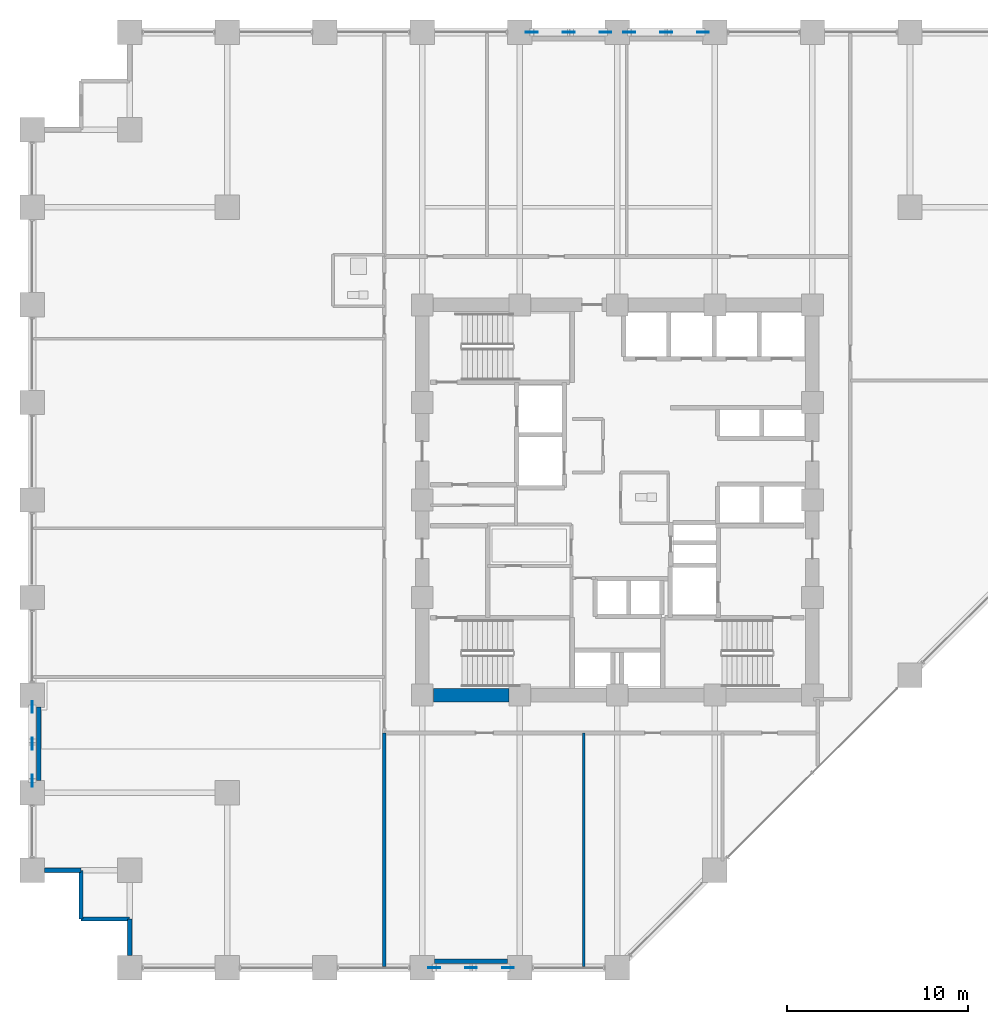
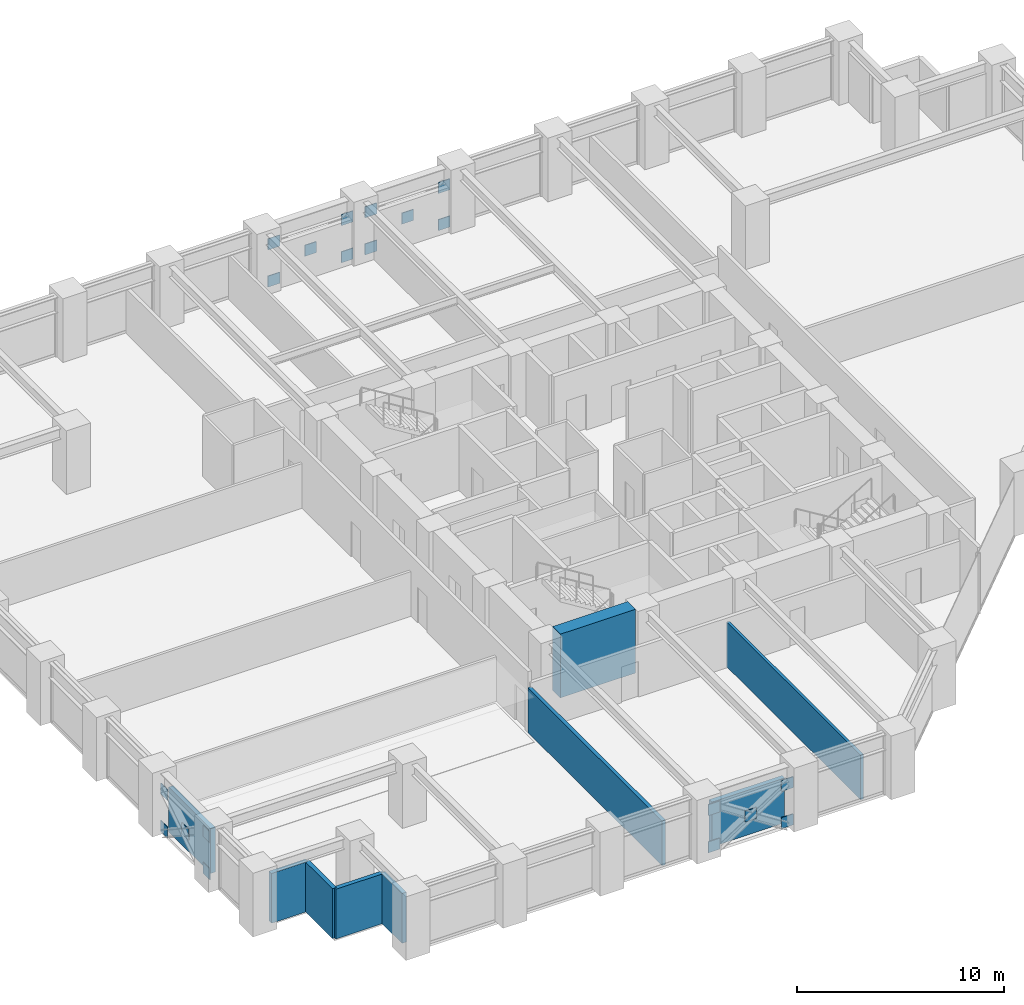
# One storey, part 19 of 25: 20 plates, 9 walls.
"""IFC4 building model written with IfcOpenShell, lengths in metres."""

from ifc_helpers import new_model, si_unit, direction, frame, frame_2d, origin, origin_2d, place, context, subcontext, project, spatial, rectangle, extrude, material, layer, layer_set, type_object, element, save


model = new_model("IFC4")

# Units and contexts
model_context = context("Model", 3, precision=1e-05, world=origin(), true_north=direction((0.0, 1.0)))
body_context = subcontext(model_context, "Body", "Model", "MODEL_VIEW")
ifc_project = project(units=[si_unit("LENGTHUNIT", "METRE"), si_unit("AREAUNIT", "SQUARE_METRE"), si_unit("VOLUMEUNIT", "CUBIC_METRE"), si_unit("PLANEANGLEUNIT", "RADIAN"), si_unit("MASSUNIT", "GRAM", prefix="KILO")], contexts=[model_context])

# Site, building, storey
site_placement = place(None, origin())
site = spatial("IfcSite", under=ifc_project, at=site_placement, CompositionType="ELEMENT")
building_placement = place(site_placement, origin())
building = spatial("IfcBuilding", under=site, at=building_placement, Name="Surkhivell Harbour Commons", CompositionType="ELEMENT")
storey_placement = place(building_placement, frame((0.0, 0.0, 52.5)))
storey = spatial("IfcBuildingStorey", under=building, at=storey_placement, Name="L13", CompositionType="ELEMENT", Elevation=52.5)

# Plates
ifc_material_1 = material(Name="Steel S460", Category="steel")
ifc_layer_1 = layer(ifc_material_1, 0.044921875)
ifc_layer_set_1 = layer_set([ifc_layer_1], Name="Steel S460")
plate_type = type_object("IfcPlateType", Name="PLT-GUS-650", PredefinedType="USERDEFINED", material=ifc_layer_set_1)
for number, where, z_axis, x_axis, name in (
    (1, (-4.739990234375, 25.89990234375, -0.08935546875), (0.0, 0.0, 1.0), (1.0, 0.0, 0.0), "L13 Perimeter Mega-Brace MB- Corner Gusset N-1"),
    (2, (-0.659912109375, 25.89990234375, -0.08935546875), (0.0, 0.0, 1.0), (1.0, 0.0, 0.0), "L13 Perimeter Mega-Brace MB- Corner Gusset N-2"),
    (3, (-4.739990234375, 25.89990234375, 2.1005859375), (0.0, 0.0, 1.0), (1.0, 0.0, 0.0), "L13 Perimeter Mega-Brace MB- Corner Gusset N-3"),
    (4, (-0.659912109375, 25.89990234375, 2.1005859375), (0.0, 0.0, 1.0), (1.0, 0.0, 0.0), "L13 Perimeter Mega-Brace MB- Corner Gusset N-4"),
    (5, (-2.699951171875, 25.89990234375, 1.005615234375), (0.0, 0.0, 1.0), (1.0, 0.0, 0.0), "L13 Perimeter Mega-Brace MB- Central Crossing Gusset N"),
    (6, (0.659912109375, 25.89990234375, -0.08935546875), (0.0, 0.0, 1.0), (1.0, 0.0, 0.0), "L13 Perimeter Mega-Brace MB- Corner Gusset N2-1"),
    (7, (4.739990234375, 25.89990234375, -0.08935546875), (0.0, 0.0, 1.0), (1.0, 0.0, 0.0), "L13 Perimeter Mega-Brace MB- Corner Gusset N2-2"),
    (8, (0.659912109375, 25.89990234375, 2.1005859375), (0.0, 0.0, 1.0), (1.0, 0.0, 0.0), "L13 Perimeter Mega-Brace MB- Corner Gusset N2-3"),
    (9, (4.739990234375, 25.89990234375, 2.1005859375), (0.0, 0.0, 1.0), (1.0, 0.0, 0.0), "L13 Perimeter Mega-Brace MB- Corner Gusset N2-4"),
    (10, (2.699951171875, 25.89990234375, 1.005615234375), (0.0, 0.0, 1.0), (1.0, 0.0, 0.0), "L13 Perimeter Mega-Brace MB- Central Crossing Gusset N2"),
    (11, (-10.139892578125, -25.89990234375, -0.08935546875), (0.0, 0.0, 1.0), (1.0, 0.0, 0.0), "L13 Perimeter Mega-Brace MB- Corner Gusset S-1"),
    (12, (-6.06005859375, -25.89990234375, -0.08935546875), (0.0, 0.0, 1.0), (1.0, 0.0, 0.0), "L13 Perimeter Mega-Brace MB- Corner Gusset S-2"),
    (13, (-10.139892578125, -25.89990234375, 2.1005859375), (0.0, 0.0, 1.0), (1.0, 0.0, 0.0), "L13 Perimeter Mega-Brace MB- Corner Gusset S-3"),
    (14, (-6.06005859375, -25.89990234375, 2.1005859375), (0.0, 0.0, 1.0), (1.0, 0.0, 0.0), "L13 Perimeter Mega-Brace MB- Corner Gusset S-4"),
    (15, (-8.10009765625, -25.89990234375, 1.005615234375), (0.0, 0.0, 1.0), (1.0, 0.0, 0.0), "L13 Perimeter Mega-Brace MB- Central Crossing Gusset S"),
    (16, (-32.39990234375, -15.5400390625, -0.08935546875), (0.0, 0.0, 1.0), (0.0, 1.0, 0.0), "L13 Perimeter Mega-Brace MB- Corner Gusset W-1"),
    (17, (-32.39990234375, -11.4599609375, -0.08935546875), (0.0, 0.0, 1.0), (0.0, 1.0, 0.0), "L13 Perimeter Mega-Brace MB- Corner Gusset W-2"),
    (18, (-32.39990234375, -15.5400390625, 2.1005859375), (0.0, 0.0, 1.0), (0.0, 1.0, 0.0), "L13 Perimeter Mega-Brace MB- Corner Gusset W-3"),
    (19, (-32.39990234375, -11.4599609375, 2.1005859375), (0.0, 0.0, 1.0), (0.0, 1.0, 0.0), "L13 Perimeter Mega-Brace MB- Corner Gusset W-4"),
    (20, (-32.39990234375, -13.5, 1.005615234375), (0.0, 0.0, 1.0), (0.0, 1.0, 0.0), "L13 Perimeter Mega-Brace MB- Central Crossing Gusset W"),
):
    element("IfcPlate", number, at=place(storey_placement, frame(where, z_axis=z_axis, x_axis=x_axis)), inside=storey, type_object=plate_type, Name=name, ObjectType="GUSSET_PLATE", PredefinedType="USERDEFINED", context=body_context, shape_type="SweptSolid", body=[
        extrude(rectangle(XDim=0.64990234375, YDim=0.044921875, at=origin_2d()), origin(), (0.0, 0.0, 1.0), 0.64990234375),
    ])

# Walls
ifc_material_2 = material(Name="Concrete C60/75", Category="concrete")
ifc_layer_2 = layer(ifc_material_2, 0.75)
ifc_layer_set_2 = layer_set([ifc_layer_2], Name="Concrete C60/75")
wall_type_1 = type_object("IfcWallType", Name="WAL-CORE-750", PredefinedType="SHEAR", material=ifc_layer_set_2)
wall_1_placement = place(storey_placement, frame((-10.18994140625, -10.800048828125, 0.0), z_axis=(0.0, 0.0, 1.0), x_axis=(1.0, 0.0, 0.0)))
element("IfcWall", 21, at=wall_1_placement, inside=storey, type_object=wall_type_1, Name="L13 Core Shear Wall South 1", PredefinedType="SHEAR", context=body_context, shape_type="SweptSolid", body=[
    extrude(rectangle(XDim=4.179931640625, YDim=0.75, at=frame_2d((2.08984375, 0.0))), origin(), (0.0, 0.0, 1.0), 3.75),
])
ifc_material_3 = material(Name="Pale-metal insulated precast concrete C45/55", Category="concrete")
ifc_layer_3 = layer(ifc_material_3, 0.260009765625)
ifc_layer_set_3 = layer_set([ifc_layer_3], Name="Pale-metal insulated precast concrete C45/55")
wall_type_2 = type_object("IfcWallType", Name="WAL-EXT-MTL260", PredefinedType="STANDARD", material=ifc_layer_set_3)
wall_2_placement = place(storey_placement, frame((-10.126953125, -25.5400390625, 0.0), z_axis=(0.0, 0.0, 1.0), x_axis=(1.0, 0.0, 0.0)))
element("IfcWall", 22, at=wall_2_placement, inside=storey, type_object=wall_type_2, Name="L13 Braced-Bay Insulated Spandrel Backing S", PredefinedType="STANDARD", context=body_context, shape_type="SweptSolid", body=[
    extrude(rectangle(XDim=4.053955078125, YDim=0.260009765625, at=frame_2d((2.02685546875, 0.0))), origin(), (0.0, 0.0, 1.0), 2.62890625),
])
wall_3_placement = place(storey_placement, frame((-32.0400390625, -11.472900390625, 0.0), z_axis=(0.0, 0.0, 1.0), x_axis=(0.0, -1.0, 0.0)))
element("IfcWall", 23, at=wall_3_placement, inside=storey, type_object=wall_type_2, Name="L13 Braced-Bay Insulated Spandrel Backing W", PredefinedType="STANDARD", context=body_context, shape_type="SweptSolid", body=[
    extrude(rectangle(XDim=4.05419921875, YDim=0.260009765625, at=frame_2d((2.027099609375, 0.0))), origin(), (0.0, 0.0, 1.0), 2.62890625),
])
ifc_material_4 = material(Name="Bronze-ochre cassette precast concrete C45/55", Category="concrete")
ifc_layer_4 = layer(ifc_material_4, 0.239990234375)
ifc_layer_set_4 = layer_set([ifc_layer_4], Name="Bronze-ochre cassette precast concrete C45/55")
wall_type_3 = type_object("IfcWallType", Name="WAL-EXT-OCH240", PredefinedType="STANDARD", material=ifc_layer_set_4)
wall_4_placement = place(storey_placement, frame((-31.72705078125, -20.5, 0.0), z_axis=(0.0, 0.0, 1.0), x_axis=(1.0, 0.0, 0.0)))
element("IfcWall", 24, at=wall_4_placement, inside=storey, type_object=wall_type_3, Name="L13 Serrated Corner Facade Wall 13", PredefinedType="STANDARD", context=body_context, shape_type="SweptSolid", body=[
    extrude(rectangle(XDim=2.027099609375, YDim=0.239990234375, at=frame_2d((1.013671875, 0.0))), origin(), (0.0, 0.0, 1.0), 2.929931640625),
])
for number, where, z_axis, x_axis, name in (
    (25, (-29.699951171875, -20.5, 0.0), (0.0, 0.0, 1.0), (0.0, -1.0, 0.0), "L13 Serrated Corner Facade Wall 14"),
    (26, (-29.699951171875, -23.199951171875, 0.0), (0.0, 0.0, 1.0), (1.0, 0.0, 0.0), "L13 Serrated Corner Facade Wall 15"),
):
    element("IfcWall", number, at=place(storey_placement, frame(where, z_axis=z_axis, x_axis=x_axis)), inside=storey, type_object=wall_type_3, Name=name, PredefinedType="STANDARD", context=body_context, shape_type="SweptSolid", body=[
        extrude(rectangle(XDim=2.699951171875, YDim=0.239990234375, at=frame_2d((1.35009765625, 0.0))), origin(), (0.0, 0.0, 1.0), 2.929931640625),
    ])
wall_5_placement = place(storey_placement, frame((-27.0, -23.199951171875, 0.0), z_axis=(0.0, 0.0, 1.0), x_axis=(0.0, -1.0, 0.0)))
element("IfcWall", 27, at=wall_5_placement, inside=storey, type_object=wall_type_3, Name="L13 Serrated Corner Facade Wall 16", PredefinedType="STANDARD", context=body_context, shape_type="SweptSolid", body=[
    extrude(rectangle(XDim=2.027099609375, YDim=0.239990234375, at=frame_2d((1.013671875, 0.0))), origin(), (0.0, 0.0, 1.0), 2.929931640625),
])
ifc_material_5 = material(Name="Twin-stud acoustic fireboard partition", Category="other")
ifc_layer_5 = layer(ifc_material_5, 0.14990234375)
ifc_layer_set_5 = layer_set([ifc_layer_5], Name="Twin-stud acoustic fireboard partition")
wall_type_4 = type_object("IfcWallType", Name="WAL-INT-150", PredefinedType="PARTITIONING", material=ifc_layer_set_5)
wall_6_placement = place(storey_placement, frame((-1.860107421875, -25.840087890625, 0.0), z_axis=(0.0, 0.0, 1.0), x_axis=(0.0, 1.0, 0.0)))
element("IfcWall", 28, at=wall_6_placement, inside=storey, type_object=wall_type_4, Name="L13 South Partition P1", PredefinedType="PARTITIONING", context=body_context, shape_type="SweptSolid", body=[
    extrude(rectangle(XDim=12.940185546875, YDim=0.14990234375, at=frame_2d((6.47021484375, 0.0))), origin(), (0.0, 0.0, 1.0), 2.62890625),
])
ifc_material_6 = material(Name="Autoclaved aerated concrete blockwork and fire plaster", Category="masonry")
ifc_layer_6 = layer(ifc_material_6, 0.199951171875)
ifc_layer_set_6 = layer_set([ifc_layer_6], Name="Autoclaved aerated concrete blockwork and fire plaster")
wall_type_5 = type_object("IfcWallType", Name="WAL-INT-200", PredefinedType="PARTITIONING", material=ifc_layer_set_6)
wall_7_placement = place(storey_placement, frame((-12.89990234375, -25.840087890625, 0.0), z_axis=(0.0, 0.0, 1.0), x_axis=(0.0, 1.0, 0.0)))
element("IfcWall", 29, at=wall_7_placement, inside=storey, type_object=wall_type_5, Name="L13 South-West Wing Corner Divider", PredefinedType="PARTITIONING", context=body_context, shape_type="SweptSolid", body=[
    extrude(rectangle(XDim=12.940185546875, YDim=0.199951171875, at=frame_2d((6.47021484375, 0.0))), origin(), (0.0, 0.0, 1.0), 2.62890625),
])

save(model, "model.ifc")
